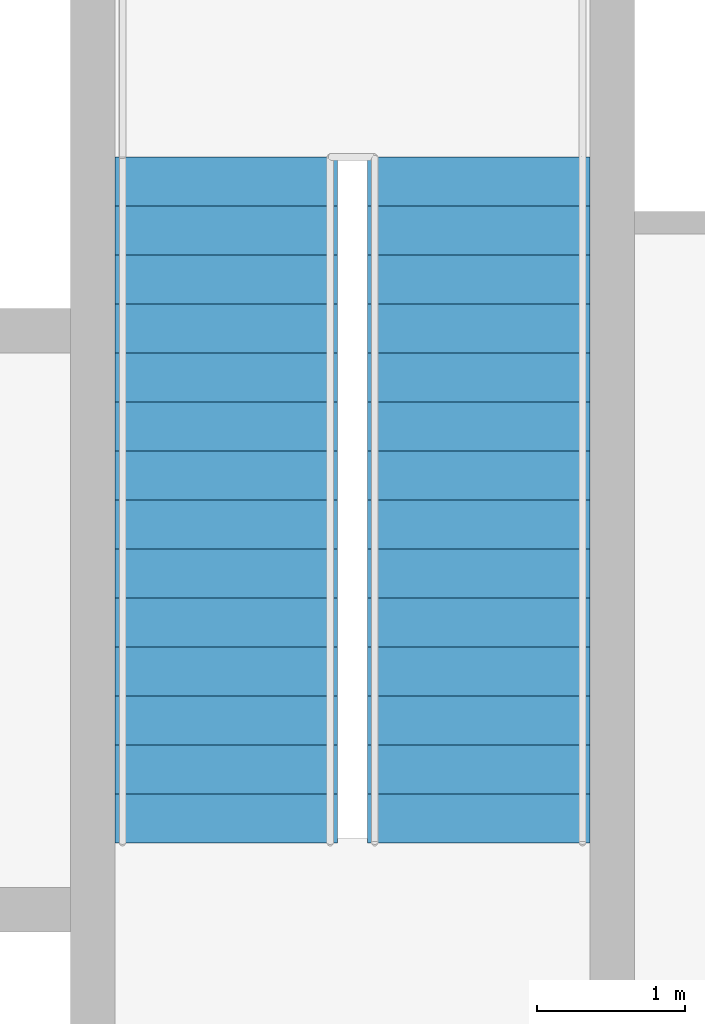
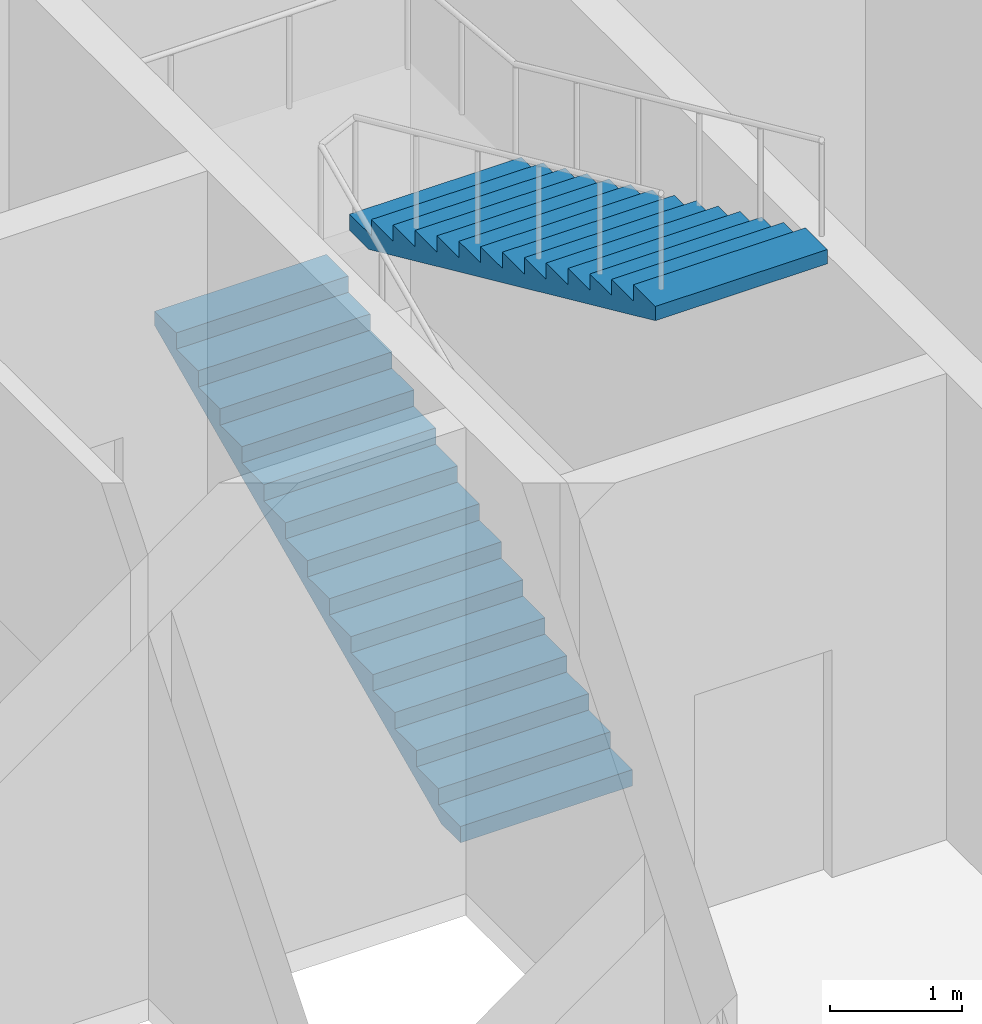
# One storey, part 10 of 11: 2 stair flights, 1 element without a shape of its own.
"""IFC4 building model written with IfcOpenShell, lengths in metres."""

from ifc_helpers import new_model, si_unit, direction, frame, origin, place, context, subcontext, project, spatial, polygons, material, type_object, element, aggregate, save


model = new_model("IFC4")

# Units and contexts
model_context = context("Model", 3, precision=1e-05, world=origin(), true_north=direction((0.0, 1.0)))
body_context = subcontext(model_context, "Body", "Model", "MODEL_VIEW")
ifc_project = project(units=[si_unit("LENGTHUNIT", "METRE"), si_unit("AREAUNIT", "SQUARE_METRE"), si_unit("VOLUMEUNIT", "CUBIC_METRE"), si_unit("PLANEANGLEUNIT", "RADIAN"), si_unit("MASSUNIT", "GRAM", prefix="KILO")], contexts=[model_context])

# Site, building, storey
site_placement = place(None, origin())
site = spatial("IfcSite", under=ifc_project, at=site_placement, CompositionType="ELEMENT")
building_placement = place(site_placement, origin())
building = spatial("IfcBuilding", under=site, at=building_placement, Name="Njiva Tower", CompositionType="ELEMENT")
storey_placement = place(building_placement, frame((0.0, 0.0, 64.8)))
storey = spatial("IfcBuildingStorey", under=building, at=storey_placement, Name="L13", CompositionType="ELEMENT", Elevation=64.8)

# Stair, stair flights
ifc_material = material(Name="Concrete C40/50", Category="concrete")
stair_type = type_object("IfcStairType", Name="ST4 Exit stair 1500", PredefinedType="HALF_TURN_STAIR", material=ifc_material)
stair_placement = place(storey_placement, origin())
stair = element("IfcStair", 1, at=stair_placement, inside=storey, type_object=stair_type, Name="Stair B", PredefinedType="HALF_TURN_STAIR")
stair_flight_type = type_object("IfcStairFlightType", Name="FL4 Stair flight 1500", PredefinedType="STRAIGHT", material=ifc_material)
stair_flight_1_placement = place(storey_placement, frame((11.75, 11.1, 0.0), z_axis=(0.0, 0.0, 1.0), x_axis=(0.0, 1.0, 0.0)))
stair_flight_1 = element("IfcStairFlight", 2, at=stair_flight_1_placement, type_object=stair_flight_type, Name="ST-B flight 1", NumberOfRisers=15, NumberOfTreads=14, PredefinedType="STRAIGHT", RiserHeight=0.15, TreadLength=0.33, context=body_context, shape_type="Tessellation", body=[
    polygons([(0.0, 0.75, 0.0), (0.0, 0.375, 0.0), (0.0, 0.0, 0.0), (0.0, -0.375, 0.0), (0.0, -0.75, 0.0), (0.0, 0.75, 0.15), (0.0, 0.375, 0.15), (0.0, 0.0, 0.15), (0.0, -0.375, 0.15), (0.0, -0.75, 0.15), (0.33, 0.75, 0.15), (0.33, 0.375, 0.15), (0.33, 0.0, 0.15), (0.33, -0.375, 0.15), (0.33, -0.75, 0.15), (0.33, 0.75, 0.3), (0.33, 0.375, 0.3), (0.33, 0.0, 0.3), (0.33, -0.375, 0.3), (0.33, -0.75, 0.3), (0.66, 0.75, 0.3), (0.66, 0.375, 0.3), (0.66, 0.0, 0.3), (0.66, -0.375, 0.3), (0.66, -0.75, 0.3), (0.66, 0.75, 0.45), (0.66, 0.375, 0.45), (0.66, 0.0, 0.45), (0.66, -0.375, 0.45), (0.66, -0.75, 0.45), (0.99, 0.75, 0.45), (0.99, 0.375, 0.45), (0.99, 0.0, 0.45), (0.99, -0.375, 0.45), (0.99, -0.75, 0.45), (0.99, 0.75, 0.6), (0.99, 0.375, 0.6), (0.99, 0.0, 0.6), (0.99, -0.375, 0.6), (0.99, -0.75, 0.6), (1.32, 0.75, 0.6), (1.32, 0.375, 0.6), (1.32, 0.0, 0.6), (1.32, -0.375, 0.6), (1.32, -0.75, 0.6), (1.32, 0.75, 0.75), (1.32, 0.375, 0.75), (1.32, 0.0, 0.75), (1.32, -0.375, 0.75), (1.32, -0.75, 0.75), (1.65, 0.75, 0.75), (1.65, 0.375, 0.75), (1.65, 0.0, 0.75), (1.65, -0.375, 0.75), (1.65, -0.75, 0.75), (1.65, 0.75, 0.9), (1.65, 0.375, 0.9), (1.65, 0.0, 0.9), (1.65, -0.375, 0.9), (1.65, -0.75, 0.9), (1.98, 0.75, 0.9), (1.98, 0.375, 0.9), (1.98, 0.0, 0.9), (1.98, -0.375, 0.9), (1.98, -0.75, 0.9), (1.98, 0.75, 1.05), (1.98, 0.375, 1.05), (1.98, 0.0, 1.05), (1.98, -0.375, 1.05), (1.98, -0.75, 1.05), (2.31, 0.75, 1.05), (2.31, 0.375, 1.05), (2.31, 0.0, 1.05), (2.31, -0.375, 1.05), (2.31, -0.75, 1.05), (2.31, 0.75, 1.2), (2.31, 0.375, 1.2), (2.31, 0.0, 1.2), (2.31, -0.375, 1.2), (2.31, -0.75, 1.2), (2.64, 0.75, 1.2), (2.64, 0.375, 1.2), (2.64, 0.0, 1.2), (2.64, -0.375, 1.2), (2.64, -0.75, 1.2), (2.64, 0.75, 1.35), (2.64, 0.375, 1.35), (2.64, 0.0, 1.35), (2.64, -0.375, 1.35), (2.64, -0.75, 1.35), (2.97, 0.75, 1.35), (2.97, 0.375, 1.35), (2.97, 0.0, 1.35), (2.97, -0.375, 1.35), (2.97, -0.75, 1.35), (2.97, 0.75, 1.5), (2.97, 0.375, 1.5), (2.97, 0.0, 1.5), (2.97, -0.375, 1.5), (2.97, -0.75, 1.5), (3.3, 0.75, 1.5), (3.3, 0.375, 1.5), (3.3, 0.0, 1.5), (3.3, -0.375, 1.5), (3.3, -0.75, 1.5), (3.3, 0.75, 1.65), (3.3, 0.375, 1.65), (3.3, 0.0, 1.65), (3.3, -0.375, 1.65), (3.3, -0.75, 1.65), (3.63, 0.75, 1.65), (3.63, 0.375, 1.65), (3.63, 0.0, 1.65), (3.63, -0.375, 1.65), (3.63, -0.75, 1.65), (3.63, 0.75, 1.8), (3.63, 0.375, 1.8), (3.63, 0.0, 1.8), (3.63, -0.375, 1.8), (3.63, -0.75, 1.8), (3.96, 0.75, 1.8), (3.96, 0.375, 1.8), (3.96, 0.0, 1.8), (3.96, -0.375, 1.8), (3.96, -0.75, 1.8), (3.96, 0.75, 1.95), (3.96, 0.375, 1.95), (3.96, 0.0, 1.95), (3.96, -0.375, 1.95), (3.96, -0.75, 1.95), (4.29, 0.75, 1.95), (4.29, 0.375, 1.95), (4.29, 0.0, 1.95), (4.29, -0.375, 1.95), (4.29, -0.75, 1.95), (4.29, 0.75, 2.1), (4.29, 0.375, 2.1), (4.29, 0.0, 2.1), (4.29, -0.375, 2.1), (4.29, -0.75, 2.1), (4.62, 0.75, 2.1), (4.62, 0.375, 2.1), (4.62, 0.0, 2.1), (4.62, -0.375, 2.1), (4.62, -0.75, 2.1), (4.62, 0.75, 1.9682), (4.62, 0.375, 1.9682), (4.62, 0.0, 1.9682), (4.62, -0.375, 1.9682), (4.62, -0.75, 1.9682), (0.29, 0.75, 0.0), (0.29, 0.375, 0.0), (0.29, 0.0, 0.0), (0.29, -0.375, 0.0), (0.29, -0.75, 0.0)], [[[1, 6, 11, 16, 21, 26, 31, 36, 41, 46, 51, 56, 61, 66, 71, 76, 81, 86, 91, 96, 101, 106, 111, 116, 121, 126, 131, 136, 141, 146, 151]], [[155, 150, 145, 140, 135, 130, 125, 120, 115, 110, 105, 100, 95, 90, 85, 80, 75, 70, 65, 60, 55, 50, 45, 40, 35, 30, 25, 20, 15, 10, 5]], [[6, 1, 2, 7]], [[7, 2, 3, 8]], [[8, 3, 4, 9]], [[9, 4, 5, 10]], [[11, 6, 7, 12]], [[12, 7, 8, 13]], [[13, 8, 9, 14]], [[14, 9, 10, 15]], [[16, 11, 12, 17]], [[17, 12, 13, 18]], [[18, 13, 14, 19]], [[19, 14, 15, 20]], [[21, 16, 17, 22]], [[22, 17, 18, 23]], [[23, 18, 19, 24]], [[24, 19, 20, 25]], [[26, 21, 22, 27]], [[27, 22, 23, 28]], [[28, 23, 24, 29]], [[29, 24, 25, 30]], [[31, 26, 27, 32]], [[32, 27, 28, 33]], [[33, 28, 29, 34]], [[34, 29, 30, 35]], [[36, 31, 32, 37]], [[37, 32, 33, 38]], [[38, 33, 34, 39]], [[39, 34, 35, 40]], [[41, 36, 37, 42]], [[42, 37, 38, 43]], [[43, 38, 39, 44]], [[44, 39, 40, 45]], [[46, 41, 42, 47]], [[47, 42, 43, 48]], [[48, 43, 44, 49]], [[49, 44, 45, 50]], [[51, 46, 47, 52]], [[52, 47, 48, 53]], [[53, 48, 49, 54]], [[54, 49, 50, 55]], [[56, 51, 52, 57]], [[57, 52, 53, 58]], [[58, 53, 54, 59]], [[59, 54, 55, 60]], [[61, 56, 57, 62]], [[62, 57, 58, 63]], [[63, 58, 59, 64]], [[64, 59, 60, 65]], [[66, 61, 62, 67]], [[67, 62, 63, 68]], [[68, 63, 64, 69]], [[69, 64, 65, 70]], [[71, 66, 67, 72]], [[72, 67, 68, 73]], [[73, 68, 69, 74]], [[74, 69, 70, 75]], [[76, 71, 72, 77]], [[77, 72, 73, 78]], [[78, 73, 74, 79]], [[79, 74, 75, 80]], [[81, 76, 77, 82]], [[82, 77, 78, 83]], [[83, 78, 79, 84]], [[84, 79, 80, 85]], [[86, 81, 82, 87]], [[87, 82, 83, 88]], [[88, 83, 84, 89]], [[89, 84, 85, 90]], [[91, 86, 87, 92]], [[92, 87, 88, 93]], [[93, 88, 89, 94]], [[94, 89, 90, 95]], [[96, 91, 92, 97]], [[97, 92, 93, 98]], [[98, 93, 94, 99]], [[99, 94, 95, 100]], [[101, 96, 97, 102]], [[102, 97, 98, 103]], [[103, 98, 99, 104]], [[104, 99, 100, 105]], [[106, 101, 102, 107]], [[107, 102, 103, 108]], [[108, 103, 104, 109]], [[109, 104, 105, 110]], [[111, 106, 107, 112]], [[112, 107, 108, 113]], [[113, 108, 109, 114]], [[114, 109, 110, 115]], [[116, 111, 112, 117]], [[117, 112, 113, 118]], [[118, 113, 114, 119]], [[119, 114, 115, 120]], [[121, 116, 117, 122]], [[122, 117, 118, 123]], [[123, 118, 119, 124]], [[124, 119, 120, 125]], [[126, 121, 122, 127]], [[127, 122, 123, 128]], [[128, 123, 124, 129]], [[129, 124, 125, 130]], [[131, 126, 127, 132]], [[132, 127, 128, 133]], [[133, 128, 129, 134]], [[134, 129, 130, 135]], [[136, 131, 132, 137]], [[137, 132, 133, 138]], [[138, 133, 134, 139]], [[139, 134, 135, 140]], [[141, 136, 137, 142]], [[142, 137, 138, 143]], [[143, 138, 139, 144]], [[144, 139, 140, 145]], [[146, 141, 142, 147]], [[147, 142, 143, 148]], [[148, 143, 144, 149]], [[149, 144, 145, 150]], [[151, 146, 147, 152]], [[152, 147, 148, 153]], [[153, 148, 149, 154]], [[154, 149, 150, 155]], [[1, 151, 152, 2]], [[2, 152, 153, 3]], [[3, 153, 154, 4]], [[4, 154, 155, 5]]], closed=True),
])
stair_flight_2_placement = place(storey_placement, frame((13.45, 15.72, 2.25), z_axis=(0.0, 0.0, 1.0), x_axis=(0.0, -1.0, 0.0)))
stair_flight_2 = element("IfcStairFlight", 3, at=stair_flight_2_placement, type_object=stair_flight_type, Name="ST-B flight 2", NumberOfRisers=15, NumberOfTreads=14, PredefinedType="STRAIGHT", RiserHeight=0.15, TreadLength=0.33, context=body_context, shape_type="Tessellation", body=[
    polygons([(0.0, 0.75, 0.0), (0.0, 0.375, 0.0), (0.0, 0.0, 0.0), (0.0, -0.375, 0.0), (0.0, -0.75, 0.0), (0.0, 0.75, 0.15), (0.0, 0.375, 0.15), (0.0, 0.0, 0.15), (0.0, -0.375, 0.15), (0.0, -0.75, 0.15), (0.33, 0.75, 0.15), (0.33, 0.375, 0.15), (0.33, 0.0, 0.15), (0.33, -0.375, 0.15), (0.33, -0.75, 0.15), (0.33, 0.75, 0.3), (0.33, 0.375, 0.3), (0.33, 0.0, 0.3), (0.33, -0.375, 0.3), (0.33, -0.75, 0.3), (0.66, 0.75, 0.3), (0.66, 0.375, 0.3), (0.66, 0.0, 0.3), (0.66, -0.375, 0.3), (0.66, -0.75, 0.3), (0.66, 0.75, 0.45), (0.66, 0.375, 0.45), (0.66, 0.0, 0.45), (0.66, -0.375, 0.45), (0.66, -0.75, 0.45), (0.99, 0.75, 0.45), (0.99, 0.375, 0.45), (0.99, 0.0, 0.45), (0.99, -0.375, 0.45), (0.99, -0.75, 0.45), (0.99, 0.75, 0.6), (0.99, 0.375, 0.6), (0.99, 0.0, 0.6), (0.99, -0.375, 0.6), (0.99, -0.75, 0.6), (1.32, 0.75, 0.6), (1.32, 0.375, 0.6), (1.32, 0.0, 0.6), (1.32, -0.375, 0.6), (1.32, -0.75, 0.6), (1.32, 0.75, 0.75), (1.32, 0.375, 0.75), (1.32, 0.0, 0.75), (1.32, -0.375, 0.75), (1.32, -0.75, 0.75), (1.65, 0.75, 0.75), (1.65, 0.375, 0.75), (1.65, 0.0, 0.75), (1.65, -0.375, 0.75), (1.65, -0.75, 0.75), (1.65, 0.75, 0.9), (1.65, 0.375, 0.9), (1.65, 0.0, 0.9), (1.65, -0.375, 0.9), (1.65, -0.75, 0.9), (1.98, 0.75, 0.9), (1.98, 0.375, 0.9), (1.98, 0.0, 0.9), (1.98, -0.375, 0.9), (1.98, -0.75, 0.9), (1.98, 0.75, 1.05), (1.98, 0.375, 1.05), (1.98, 0.0, 1.05), (1.98, -0.375, 1.05), (1.98, -0.75, 1.05), (2.31, 0.75, 1.05), (2.31, 0.375, 1.05), (2.31, 0.0, 1.05), (2.31, -0.375, 1.05), (2.31, -0.75, 1.05), (2.31, 0.75, 1.2), (2.31, 0.375, 1.2), (2.31, 0.0, 1.2), (2.31, -0.375, 1.2), (2.31, -0.75, 1.2), (2.64, 0.75, 1.2), (2.64, 0.375, 1.2), (2.64, 0.0, 1.2), (2.64, -0.375, 1.2), (2.64, -0.75, 1.2), (2.64, 0.75, 1.35), (2.64, 0.375, 1.35), (2.64, 0.0, 1.35), (2.64, -0.375, 1.35), (2.64, -0.75, 1.35), (2.97, 0.75, 1.35), (2.97, 0.375, 1.35), (2.97, 0.0, 1.35), (2.97, -0.375, 1.35), (2.97, -0.75, 1.35), (2.97, 0.75, 1.5), (2.97, 0.375, 1.5), (2.97, 0.0, 1.5), (2.97, -0.375, 1.5), (2.97, -0.75, 1.5), (3.3, 0.75, 1.5), (3.3, 0.375, 1.5), (3.3, 0.0, 1.5), (3.3, -0.375, 1.5), (3.3, -0.75, 1.5), (3.3, 0.75, 1.65), (3.3, 0.375, 1.65), (3.3, 0.0, 1.65), (3.3, -0.375, 1.65), (3.3, -0.75, 1.65), (3.63, 0.75, 1.65), (3.63, 0.375, 1.65), (3.63, 0.0, 1.65), (3.63, -0.375, 1.65), (3.63, -0.75, 1.65), (3.63, 0.75, 1.8), (3.63, 0.375, 1.8), (3.63, 0.0, 1.8), (3.63, -0.375, 1.8), (3.63, -0.75, 1.8), (3.96, 0.75, 1.8), (3.96, 0.375, 1.8), (3.96, 0.0, 1.8), (3.96, -0.375, 1.8), (3.96, -0.75, 1.8), (3.96, 0.75, 1.95), (3.96, 0.375, 1.95), (3.96, 0.0, 1.95), (3.96, -0.375, 1.95), (3.96, -0.75, 1.95), (4.29, 0.75, 1.95), (4.29, 0.375, 1.95), (4.29, 0.0, 1.95), (4.29, -0.375, 1.95), (4.29, -0.75, 1.95), (4.29, 0.75, 2.1), (4.29, 0.375, 2.1), (4.29, 0.0, 2.1), (4.29, -0.375, 2.1), (4.29, -0.75, 2.1), (4.62, 0.75, 2.1), (4.62, 0.375, 2.1), (4.62, 0.0, 2.1), (4.62, -0.375, 2.1), (4.62, -0.75, 2.1), (4.62, 0.75, 1.9682), (4.62, 0.375, 1.9682), (4.62, 0.0, 1.9682), (4.62, -0.375, 1.9682), (4.62, -0.75, 1.9682), (0.29, 0.75, 0.0), (0.29, 0.375, 0.0), (0.29, 0.0, 0.0), (0.29, -0.375, 0.0), (0.29, -0.75, 0.0)], [[[1, 6, 11, 16, 21, 26, 31, 36, 41, 46, 51, 56, 61, 66, 71, 76, 81, 86, 91, 96, 101, 106, 111, 116, 121, 126, 131, 136, 141, 146, 151]], [[155, 150, 145, 140, 135, 130, 125, 120, 115, 110, 105, 100, 95, 90, 85, 80, 75, 70, 65, 60, 55, 50, 45, 40, 35, 30, 25, 20, 15, 10, 5]], [[6, 1, 2, 7]], [[7, 2, 3, 8]], [[8, 3, 4, 9]], [[9, 4, 5, 10]], [[11, 6, 7, 12]], [[12, 7, 8, 13]], [[13, 8, 9, 14]], [[14, 9, 10, 15]], [[16, 11, 12, 17]], [[17, 12, 13, 18]], [[18, 13, 14, 19]], [[19, 14, 15, 20]], [[21, 16, 17, 22]], [[22, 17, 18, 23]], [[23, 18, 19, 24]], [[24, 19, 20, 25]], [[26, 21, 22, 27]], [[27, 22, 23, 28]], [[28, 23, 24, 29]], [[29, 24, 25, 30]], [[31, 26, 27, 32]], [[32, 27, 28, 33]], [[33, 28, 29, 34]], [[34, 29, 30, 35]], [[36, 31, 32, 37]], [[37, 32, 33, 38]], [[38, 33, 34, 39]], [[39, 34, 35, 40]], [[41, 36, 37, 42]], [[42, 37, 38, 43]], [[43, 38, 39, 44]], [[44, 39, 40, 45]], [[46, 41, 42, 47]], [[47, 42, 43, 48]], [[48, 43, 44, 49]], [[49, 44, 45, 50]], [[51, 46, 47, 52]], [[52, 47, 48, 53]], [[53, 48, 49, 54]], [[54, 49, 50, 55]], [[56, 51, 52, 57]], [[57, 52, 53, 58]], [[58, 53, 54, 59]], [[59, 54, 55, 60]], [[61, 56, 57, 62]], [[62, 57, 58, 63]], [[63, 58, 59, 64]], [[64, 59, 60, 65]], [[66, 61, 62, 67]], [[67, 62, 63, 68]], [[68, 63, 64, 69]], [[69, 64, 65, 70]], [[71, 66, 67, 72]], [[72, 67, 68, 73]], [[73, 68, 69, 74]], [[74, 69, 70, 75]], [[76, 71, 72, 77]], [[77, 72, 73, 78]], [[78, 73, 74, 79]], [[79, 74, 75, 80]], [[81, 76, 77, 82]], [[82, 77, 78, 83]], [[83, 78, 79, 84]], [[84, 79, 80, 85]], [[86, 81, 82, 87]], [[87, 82, 83, 88]], [[88, 83, 84, 89]], [[89, 84, 85, 90]], [[91, 86, 87, 92]], [[92, 87, 88, 93]], [[93, 88, 89, 94]], [[94, 89, 90, 95]], [[96, 91, 92, 97]], [[97, 92, 93, 98]], [[98, 93, 94, 99]], [[99, 94, 95, 100]], [[101, 96, 97, 102]], [[102, 97, 98, 103]], [[103, 98, 99, 104]], [[104, 99, 100, 105]], [[106, 101, 102, 107]], [[107, 102, 103, 108]], [[108, 103, 104, 109]], [[109, 104, 105, 110]], [[111, 106, 107, 112]], [[112, 107, 108, 113]], [[113, 108, 109, 114]], [[114, 109, 110, 115]], [[116, 111, 112, 117]], [[117, 112, 113, 118]], [[118, 113, 114, 119]], [[119, 114, 115, 120]], [[121, 116, 117, 122]], [[122, 117, 118, 123]], [[123, 118, 119, 124]], [[124, 119, 120, 125]], [[126, 121, 122, 127]], [[127, 122, 123, 128]], [[128, 123, 124, 129]], [[129, 124, 125, 130]], [[131, 126, 127, 132]], [[132, 127, 128, 133]], [[133, 128, 129, 134]], [[134, 129, 130, 135]], [[136, 131, 132, 137]], [[137, 132, 133, 138]], [[138, 133, 134, 139]], [[139, 134, 135, 140]], [[141, 136, 137, 142]], [[142, 137, 138, 143]], [[143, 138, 139, 144]], [[144, 139, 140, 145]], [[146, 141, 142, 147]], [[147, 142, 143, 148]], [[148, 143, 144, 149]], [[149, 144, 145, 150]], [[151, 146, 147, 152]], [[152, 147, 148, 153]], [[153, 148, 149, 154]], [[154, 149, 150, 155]], [[1, 151, 152, 2]], [[2, 152, 153, 3]], [[3, 153, 154, 4]], [[4, 154, 155, 5]]], closed=True),
])
aggregate(stair, [stair_flight_1, stair_flight_2])

save(model, "model.ifc")
